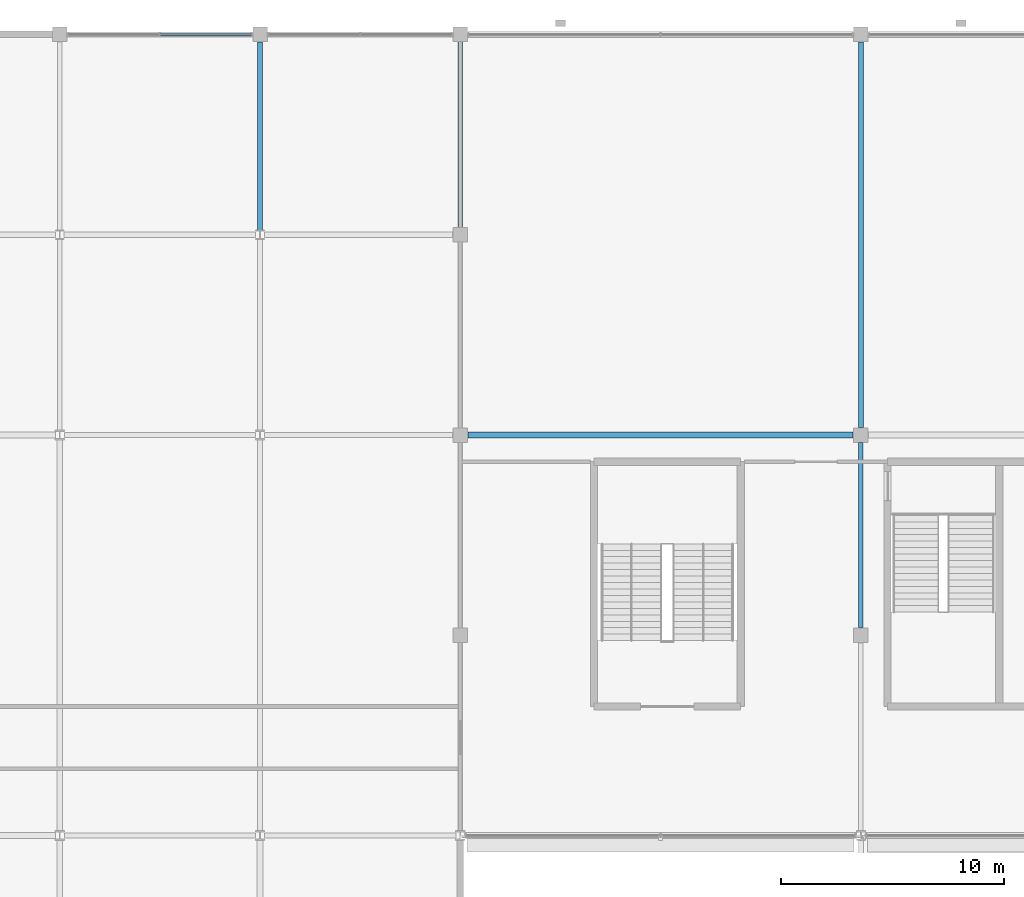
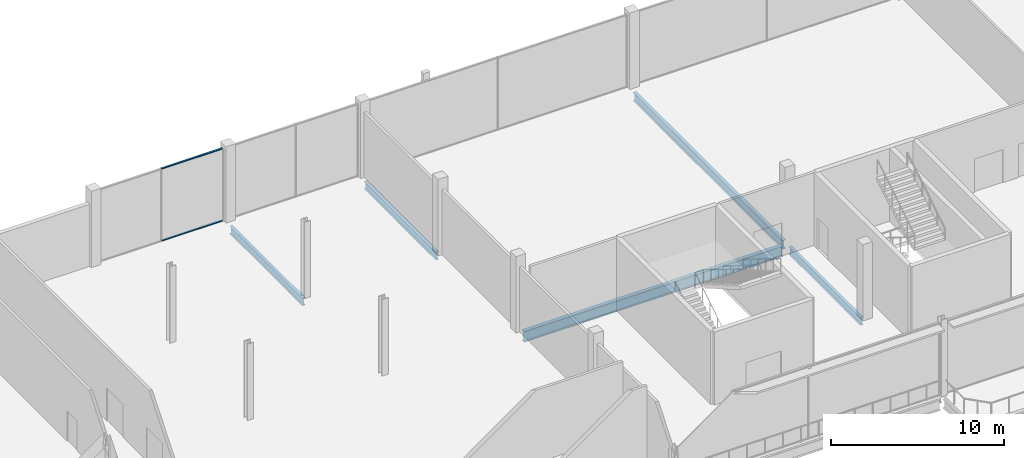
# One storey, part 34 of 113: 5 beams, 2 members, 1 element without a shape of its own.
"""IFC4 building model written with IfcOpenShell, lengths in metres."""

from ifc_helpers import new_model, si_unit, direction, frame, origin, origin_2d, place, context, subcontext, project, spatial, rectangle, i_section, extrude, material, layer, layer_set, material_profile, profile_set, type_object, element, aggregate, save


model = new_model("IFC4")

# Units and contexts
model_context = context("Model", 3, precision=1e-05, world=origin(), true_north=direction((0.0, 1.0)))
body_context = subcontext(model_context, "Body", "Model", "MODEL_VIEW")
ifc_project = project(units=[si_unit("LENGTHUNIT", "METRE"), si_unit("AREAUNIT", "SQUARE_METRE"), si_unit("VOLUMEUNIT", "CUBIC_METRE"), si_unit("PLANEANGLEUNIT", "RADIAN"), si_unit("MASSUNIT", "GRAM", prefix="KILO")], contexts=[model_context])

# Site, building, storey
site_placement = place(None, origin())
site = spatial("IfcSite", under=ifc_project, at=site_placement, CompositionType="ELEMENT")
building_placement = place(site_placement, origin())
building = spatial("IfcBuilding", under=site, at=building_placement, Name="Kisiwana Market Hall", CompositionType="ELEMENT")
storey_placement = place(building_placement, frame((0.0, 0.0, 6.0)))
storey = spatial("IfcBuildingStorey", under=building, at=storey_placement, Name="L01", CompositionType="ELEMENT", Elevation=6.0)

# Beams
ifc_material_1 = material(Name="Steel S355", Category="steel")
ifc_material_profile_1 = material_profile(ifc_material_1, i_section(OverallWidth=0.209228515625, OverallDepth=0.533203125, WebThickness=0.010009765625, FlangeThickness=0.015625, at=origin_2d()), Name="UB 533x210x92")
ifc_profile_set_1 = profile_set([ifc_material_profile_1], Name="Steel S355")
beam_type_1 = type_object("IfcBeamType", Name="BM-GIRD-UB533", PredefinedType="BEAM", material=ifc_profile_set_1)
beam_1_placement = place(storey_placement, frame((36.0, 111.19921875, -0.5166015625), z_axis=(0.0, 1.0, 0.0), x_axis=(-1.0, 0.0, 0.0)))
element("IfcBeam", 1, at=beam_1_placement, inside=storey, type_object=beam_type_1, Name="Primary girder B-0352", PredefinedType="BEAM", context=body_context, shape_type="SweptSolid", body=[
    extrude(i_section(OverallWidth=0.209228515625, OverallDepth=0.533203125, WebThickness=0.010009765625, FlangeThickness=0.015625, at=origin_2d()), origin(), (0.0, 0.0, 1.0), 8.454833984375),
])
for number, where, z_axis, x_axis, name in (
    (2, (45.0, 111.345947265625, -0.5166015625), (0.0, 1.0, 0.0), (-1.0, 0.0, 0.0), "Primary girder B-0360"),
    (3, (63.0, 93.345947265625, -0.5166015625), (0.0, 1.0, 0.0), (-1.0, 0.0, 0.0), "Primary girder B-0365"),
):
    element("IfcBeam", number, at=place(storey_placement, frame(where, z_axis=z_axis, x_axis=x_axis)), inside=storey, type_object=beam_type_1, Name=name, PredefinedType="BEAM", context=body_context, shape_type="SweptSolid", body=[
        extrude(i_section(OverallWidth=0.209228515625, OverallDepth=0.533203125, WebThickness=0.010009765625, FlangeThickness=0.015625, at=origin_2d()), origin(), (0.0, 0.0, 1.0), 8.30810546875),
    ])
ifc_material_2 = material(Name="Steel S355", Category="steel")
ifc_material_profile_2 = material_profile(ifc_material_2, i_section(OverallWidth=0.22900390625, OverallDepth=0.6123046875, WebThickness=0.011962890625, FlangeThickness=0.01953125, at=origin_2d()), Name="UB 610x229x125")
ifc_profile_set_2 = profile_set([ifc_material_profile_2], Name="Steel S355")
beam_type_2 = type_object("IfcBeamType", Name="BM-GIRD-UB610H", PredefinedType="BEAM", material=ifc_profile_set_2)
beam_2_placement = place(storey_placement, frame((63.0, 102.345947265625, -0.55615234375), z_axis=(0.0, 1.0, 0.0), x_axis=(-1.0, 0.0, 0.0)))
element("IfcBeam", 4, at=beam_2_placement, inside=storey, type_object=beam_type_2, Name="Primary girder B-0366", PredefinedType="BEAM", context=body_context, shape_type="SweptSolid", body=[
    extrude(i_section(OverallWidth=0.22900390625, OverallDepth=0.6123046875, WebThickness=0.011962890625, FlangeThickness=0.01953125, at=origin_2d()), origin(), (0.0, 0.0, 1.0), 17.30810546875),
])
ifc_material_3 = material(Name="Steel S355", Category="steel")
ifc_material_profile_3 = material_profile(ifc_material_3, i_section(OverallWidth=0.2666015625, OverallDepth=0.76220703125, WebThickness=0.014404296875, FlangeThickness=0.021484375, at=origin_2d()), Name="UB 762x267x173")
ifc_profile_set_3 = profile_set([ifc_material_profile_3], Name="Steel S355")
beam_type_3 = type_object("IfcBeamType", Name="BM-GIRD-UB762", PredefinedType="BEAM", material=ifc_profile_set_3)
beam_3_placement = place(storey_placement, frame((45.345947265625, 102.0, -0.631103515625), z_axis=(1.0, 0.0, 0.0), x_axis=(0.0, 1.0, 0.0)))
element("IfcBeam", 5, at=beam_3_placement, inside=storey, type_object=beam_type_3, Name="Floor beam B-0523", PredefinedType="BEAM", context=body_context, shape_type="SweptSolid", body=[
    extrude(i_section(OverallWidth=0.2666015625, OverallDepth=0.76220703125, WebThickness=0.014404296875, FlangeThickness=0.021484375, at=origin_2d()), origin(), (0.0, 0.0, 1.0), 17.30810546875),
])

# Curtain wall, members
ifc_material_4 = material(Name="Double-glazed solar-control low-E IGU", Category="glass")
ifc_layer = layer(ifc_material_4, 0.159912109375)
ifc_layer_set = layer_set([ifc_layer], Name="CW-FC-N-8100")
curtain_wall_type = type_object("IfcCurtainWallType", Name="CW-FC-N-8100", PredefinedType="USERDEFINED", material=ifc_layer_set)
curtain_wall_placement = place(storey_placement, origin())
curtain_wall = element("IfcCurtainWall", 6, at=curtain_wall_placement, inside=storey, type_object=curtain_wall_type, Name="Unitised curtain wall CW-034 (L01)", ObjectType="UNITISED CURTAIN WALL", PredefinedType="USERDEFINED")
ifc_material_5 = material(Name="Aluminium alloy 6063-T6", Category="aluminium")
ifc_material_profile_4 = material_profile(ifc_material_5, rectangle(XDim=0.1201171875, YDim=0.06005859375, at=origin_2d()), Name="ALU TRANSOM 60x120")
ifc_profile_set_4 = profile_set([ifc_material_profile_4], Name="Aluminium alloy 6063-T6")
member_type = type_object("IfcMemberType", Name="CW-TRAN-60x120", PredefinedType="USERDEFINED", material=ifc_profile_set_4)
member_1_placement = place(storey_placement, frame((31.530029296875, 120.0, 0.030029296875), z_axis=(1.0, 0.0, 0.0), x_axis=(0.0, 1.0, 0.0)))
member_1 = element("IfcMember", 7, at=member_1_placement, type_object=member_type, Name="CW-034 transom 2.1", ObjectType="TRANSOM", PredefinedType="USERDEFINED", context=body_context, shape_type="SweptSolid", body=[
    extrude(rectangle(XDim=0.1201171875, YDim=0.06005859375, at=origin_2d()), origin(), (0.0, 0.0, 1.0), 4.0849609375),
])
member_2_placement = place(storey_placement, frame((31.530029296875, 120.0, 5.1201171875), z_axis=(1.0, 0.0, 0.0), x_axis=(0.0, 1.0, 0.0)))
member_2 = element("IfcMember", 8, at=member_2_placement, type_object=member_type, Name="CW-034 transom 2.2", ObjectType="TRANSOM", PredefinedType="USERDEFINED", context=body_context, shape_type="SweptSolid", body=[
    extrude(rectangle(XDim=0.1201171875, YDim=0.06005859375, at=origin_2d()), origin(), (0.0, 0.0, 1.0), 4.0849609375),
])
aggregate(curtain_wall, [member_1, member_2])

save(model, "model.ifc")
